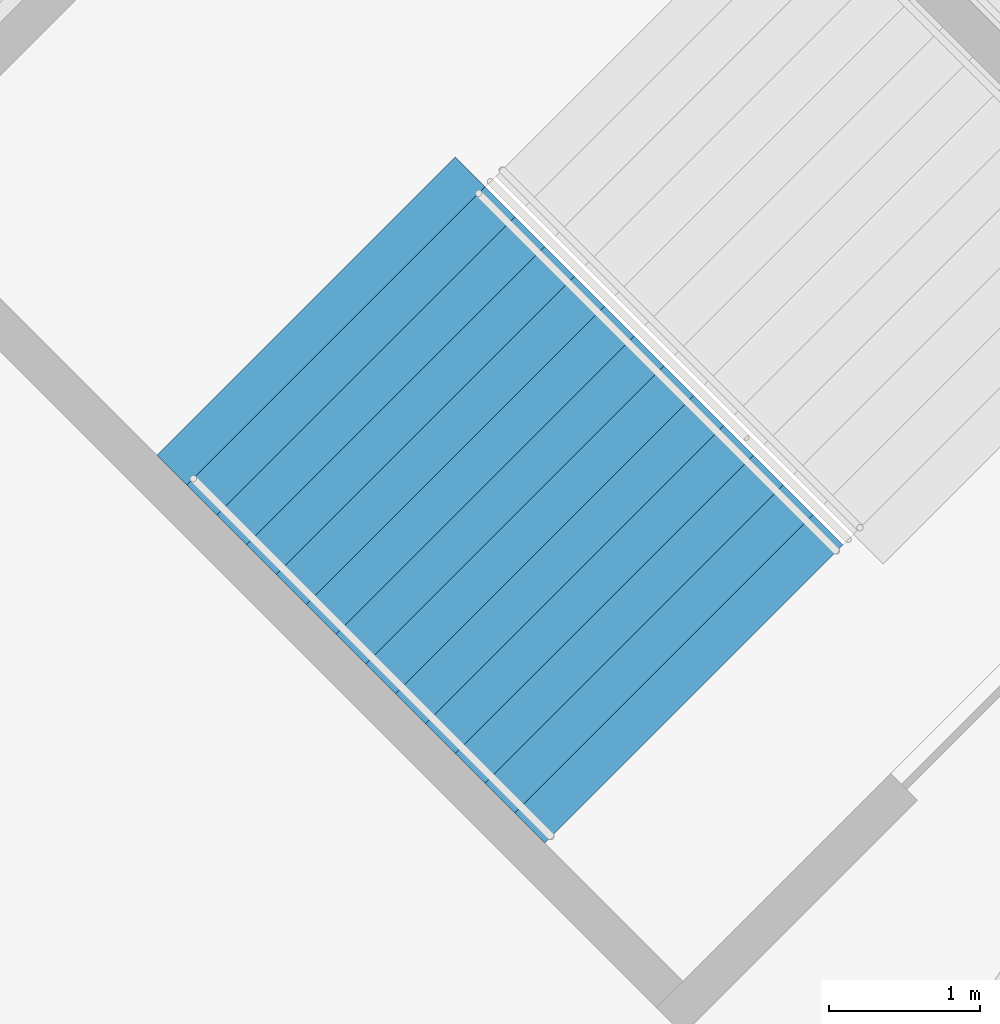
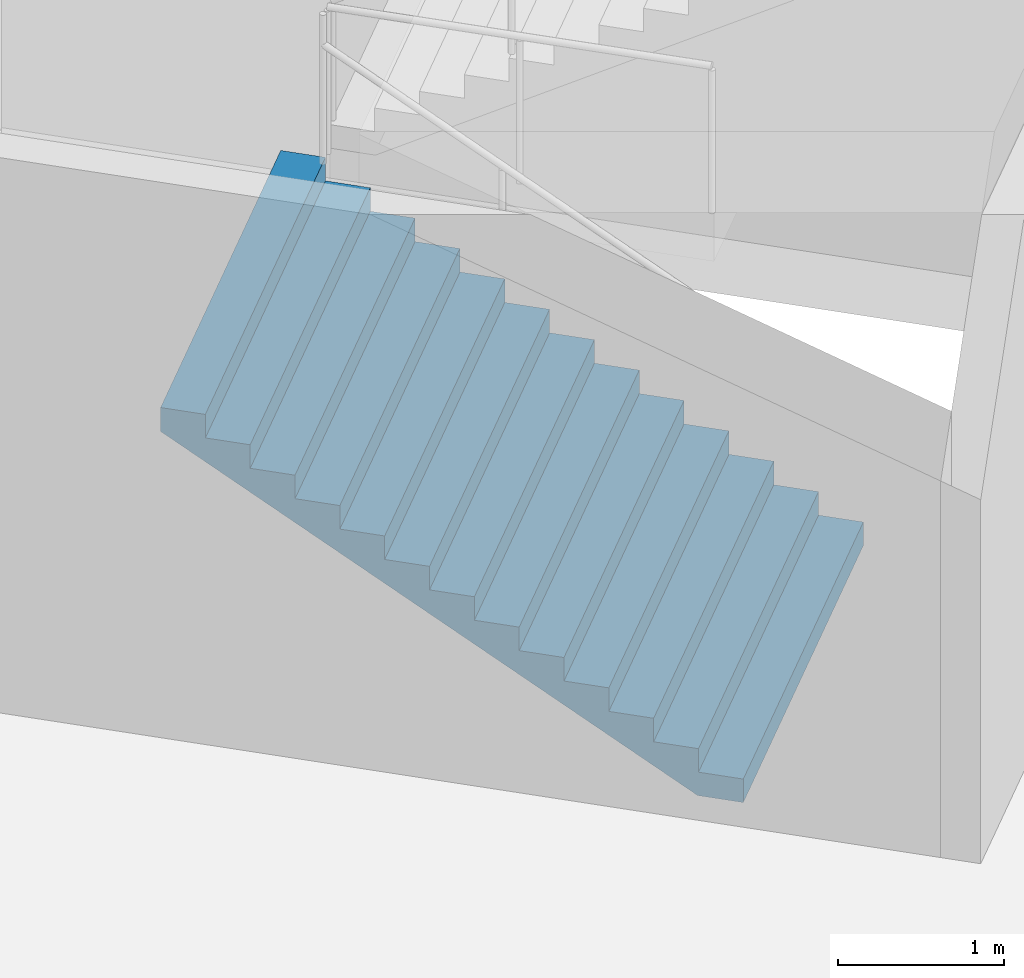
# One storey, part 197 of 249: 1 stair flight, 1 element without a shape of its own.
"""IFC4 building model written with IfcOpenShell, lengths in metres."""

from ifc_helpers import new_model, si_unit, direction, frame, origin, place, context, subcontext, project, spatial, faceted_brep, material, type_object, element, aggregate, save


model = new_model("IFC4")

# Units and contexts
model_context = context("Model", 3, precision=1e-05, world=origin(), true_north=direction((0.0, 1.0)))
body_context = subcontext(model_context, "Body", "Model", "MODEL_VIEW")
ifc_project = project(units=[si_unit("LENGTHUNIT", "METRE"), si_unit("AREAUNIT", "SQUARE_METRE"), si_unit("VOLUMEUNIT", "CUBIC_METRE"), si_unit("PLANEANGLEUNIT", "RADIAN"), si_unit("MASSUNIT", "GRAM", prefix="KILO")], contexts=[model_context])

# Site, building, storey
site_placement = place(None, origin())
site = spatial("IfcSite", under=ifc_project, at=site_placement, CompositionType="ELEMENT")
building_placement = place(site_placement, origin())
building = spatial("IfcBuilding", under=site, at=building_placement, Name="Ogive Plaza Stadium", CompositionType="ELEMENT")
storey_placement = place(building_placement, frame((0.0, 0.0, 13.5)))
storey = spatial("IfcBuildingStorey", under=building, at=storey_placement, Name="L03", CompositionType="ELEMENT", Elevation=13.5)

# Stair, stair flight
ifc_material_1 = material(Name="Concrete C40/50", Category="concrete")
stair_type = type_object("IfcStairType", Name="Exit stair", PredefinedType="STRAIGHT_RUN_STAIR", material=ifc_material_1)
stair_placement = place(storey_placement, origin())
stair = element("IfcStair", 1, at=stair_placement, inside=storey, type_object=stair_type, Name="Exit stair ST30B L03 to L04", PredefinedType="STRAIGHT_RUN_STAIR")
ifc_material_2 = material(Name="Concrete C40/50", Category="concrete")
stair_flight_type = type_object("IfcStairFlightType", Name="Exit stair flight", PredefinedType="STRAIGHT", material=ifc_material_2)
stair_flight_placement = place(storey_placement, frame((-67.074951171875, 79.317138671875, 0.0), z_axis=(0.0, 0.0, 1.0), x_axis=(-0.707106781187, 0.707106781187, 0.0)))
stair_flight = element("IfcStairFlight", 2, at=stair_flight_placement, type_object=stair_flight_type, Name="ST30B flight 1", NumberOfRisers=13, NumberOfTreads=12, PredefinedType="STRAIGHT", RiserHeight=0.173076923, TreadLength=0.28, context=body_context, shape_type="Brep", body=[
    faceted_brep([(0.28515625, -1.39990234375, 0.0), (3.639892578125, -1.39990234375, 2.07373046875), (3.639892578125, -1.39990234375, 2.25), (3.360107421875, -1.39990234375, 2.25), (3.360107421875, -1.39990234375, 2.076904296875), (3.080078125, -1.39990234375, 2.076904296875), (3.080078125, -1.39990234375, 1.90380859375), (2.800048828125, -1.39990234375, 1.90380859375), (2.800048828125, -1.39990234375, 1.730712890625), (2.52001953125, -1.39990234375, 1.730712890625), (2.52001953125, -1.39990234375, 1.5576171875), (2.239990234375, -1.39990234375, 1.5576171875), (2.239990234375, -1.39990234375, 1.384521484375), (1.9599609375, -1.39990234375, 1.384521484375), (1.9599609375, -1.39990234375, 1.21142578125), (1.679931640625, -1.39990234375, 1.21142578125), (1.679931640625, -1.39990234375, 1.03857421875), (1.39990234375, -1.39990234375, 1.03857421875), (1.39990234375, -1.39990234375, 0.865478515625), (1.1201171875, -1.39990234375, 0.865478515625), (1.1201171875, -1.39990234375, 0.6923828125), (0.840087890625, -1.39990234375, 0.6923828125), (0.840087890625, -1.39990234375, 0.519287109375), (0.56005859375, -1.39990234375, 0.519287109375), (0.56005859375, -1.39990234375, 0.34619140625), (0.280029296875, -1.39990234375, 0.34619140625), (0.280029296875, -1.39990234375, 0.173095703125), (0.0, -1.39990234375, 0.173095703125), (0.0, -1.39990234375, 0.0), (0.0, 1.39990234375, 0.0), (0.0, 1.39990234375, 0.173095703125), (0.280029296875, 1.39990234375, 0.173095703125), (0.280029296875, 1.39990234375, 0.34619140625), (0.56005859375, 1.39990234375, 0.34619140625), (0.56005859375, 1.39990234375, 0.519287109375), (0.840087890625, 1.39990234375, 0.519287109375), (0.840087890625, 1.39990234375, 0.6923828125), (1.1201171875, 1.39990234375, 0.6923828125), (1.1201171875, 1.39990234375, 0.865478515625), (1.39990234375, 1.39990234375, 0.865478515625), (1.39990234375, 1.39990234375, 1.03857421875), (1.679931640625, 1.39990234375, 1.03857421875), (1.679931640625, 1.39990234375, 1.21142578125), (1.9599609375, 1.39990234375, 1.21142578125), (1.9599609375, 1.39990234375, 1.384521484375), (2.239990234375, 1.39990234375, 1.384521484375), (2.239990234375, 1.39990234375, 1.5576171875), (2.52001953125, 1.39990234375, 1.5576171875), (2.52001953125, 1.39990234375, 1.730712890625), (2.800048828125, 1.39990234375, 1.730712890625), (2.800048828125, 1.39990234375, 1.90380859375), (3.080078125, 1.39990234375, 1.90380859375), (3.080078125, 1.39990234375, 2.076904296875), (3.360107421875, 1.39990234375, 2.076904296875), (3.360107421875, 1.39990234375, 2.25), (3.639892578125, 1.39990234375, 2.25), (3.639892578125, 1.39990234375, 2.07373046875), (0.28515625, 1.39990234375, 0.0), (0.28515625, -1.0888671875, 0.0), (3.639892578125, -1.0888671875, 2.07373046875), (0.28515625, -0.77783203125, 0.0), (3.639892578125, -0.77783203125, 2.07373046875), (0.28515625, -0.466796875, 0.0), (3.639892578125, -0.466796875, 2.07373046875), (0.28515625, -0.155517578125, 0.0), (3.639892578125, -0.155517578125, 2.07373046875), (0.28515625, 0.155517578125, 0.0), (3.639892578125, 0.155517578125, 2.07373046875), (0.28515625, 0.466796875, 0.0), (3.639892578125, 0.466796875, 2.07373046875), (0.28515625, 0.77783203125, 0.0), (3.639892578125, 0.77783203125, 2.07373046875), (0.28515625, 1.0888671875, 0.0), (3.639892578125, 1.0888671875, 2.07373046875), (3.639892578125, -1.0888671875, 2.25), (3.639892578125, -0.77783203125, 2.25), (3.639892578125, -0.466796875, 2.25), (3.639892578125, -0.155517578125, 2.25), (3.639892578125, 0.155517578125, 2.25), (3.639892578125, 0.466796875, 2.25), (3.639892578125, 0.77783203125, 2.25), (3.639892578125, 1.0888671875, 2.25), (3.360107421875, -1.0888671875, 2.25), (3.360107421875, -0.77783203125, 2.25), (3.360107421875, -0.466796875, 2.25), (3.360107421875, -0.155517578125, 2.25), (3.360107421875, 0.155517578125, 2.25), (3.360107421875, 0.466796875, 2.25), (3.360107421875, 0.77783203125, 2.25), (3.360107421875, 1.0888671875, 2.25), (3.360107421875, -1.0888671875, 2.076904296875), (3.360107421875, -0.77783203125, 2.076904296875), (3.360107421875, -0.466796875, 2.076904296875), (3.360107421875, -0.155517578125, 2.076904296875), (3.360107421875, 0.155517578125, 2.076904296875), (3.360107421875, 0.466796875, 2.076904296875), (3.360107421875, 0.77783203125, 2.076904296875), (3.360107421875, 1.0888671875, 2.076904296875), (3.080078125, -1.0888671875, 2.076904296875), (3.080078125, -0.77783203125, 2.076904296875), (3.080078125, -0.466796875, 2.076904296875), (3.080078125, -0.155517578125, 2.076904296875), (3.080078125, 0.155517578125, 2.076904296875), (3.080078125, 0.466796875, 2.076904296875), (3.080078125, 0.77783203125, 2.076904296875), (3.080078125, 1.0888671875, 2.076904296875), (3.080078125, -1.0888671875, 1.90380859375), (3.080078125, -0.77783203125, 1.90380859375), (3.080078125, -0.466796875, 1.90380859375), (3.080078125, -0.155517578125, 1.90380859375), (3.080078125, 0.155517578125, 1.90380859375), (3.080078125, 0.466796875, 1.90380859375), (3.080078125, 0.77783203125, 1.90380859375), (3.080078125, 1.0888671875, 1.90380859375), (2.800048828125, -1.0888671875, 1.90380859375), (2.800048828125, -0.77783203125, 1.90380859375), (2.800048828125, -0.466796875, 1.90380859375), (2.800048828125, -0.155517578125, 1.90380859375), (2.800048828125, 0.155517578125, 1.90380859375), (2.800048828125, 0.466796875, 1.90380859375), (2.800048828125, 0.77783203125, 1.90380859375), (2.800048828125, 1.0888671875, 1.90380859375), (2.800048828125, -1.0888671875, 1.730712890625), (2.800048828125, -0.77783203125, 1.730712890625), (2.800048828125, -0.466796875, 1.730712890625), (2.800048828125, -0.155517578125, 1.730712890625), (2.800048828125, 0.155517578125, 1.730712890625), (2.800048828125, 0.466796875, 1.730712890625), (2.800048828125, 0.77783203125, 1.730712890625), (2.800048828125, 1.0888671875, 1.730712890625), (2.52001953125, -1.0888671875, 1.730712890625), (2.52001953125, -0.77783203125, 1.730712890625), (2.52001953125, -0.466796875, 1.730712890625), (2.52001953125, -0.155517578125, 1.730712890625), (2.52001953125, 0.155517578125, 1.730712890625), (2.52001953125, 0.466796875, 1.730712890625), (2.52001953125, 0.77783203125, 1.730712890625), (2.52001953125, 1.0888671875, 1.730712890625), (2.52001953125, -1.0888671875, 1.5576171875), (2.52001953125, -0.77783203125, 1.5576171875), (2.52001953125, -0.466796875, 1.5576171875), (2.52001953125, -0.155517578125, 1.5576171875), (2.52001953125, 0.155517578125, 1.5576171875), (2.52001953125, 0.466796875, 1.5576171875), (2.52001953125, 0.77783203125, 1.5576171875), (2.52001953125, 1.0888671875, 1.5576171875), (2.239990234375, -1.0888671875, 1.5576171875), (2.239990234375, -0.77783203125, 1.5576171875), (2.239990234375, -0.466796875, 1.5576171875), (2.239990234375, -0.155517578125, 1.5576171875), (2.239990234375, 0.155517578125, 1.5576171875), (2.239990234375, 0.466796875, 1.5576171875), (2.239990234375, 0.77783203125, 1.5576171875), (2.239990234375, 1.0888671875, 1.5576171875), (2.239990234375, -1.0888671875, 1.384521484375), (2.239990234375, -0.77783203125, 1.384521484375), (2.239990234375, -0.466796875, 1.384521484375), (2.239990234375, -0.155517578125, 1.384521484375), (2.239990234375, 0.155517578125, 1.384521484375), (2.239990234375, 0.466796875, 1.384521484375), (2.239990234375, 0.77783203125, 1.384521484375), (2.239990234375, 1.0888671875, 1.384521484375), (1.9599609375, -1.0888671875, 1.384521484375), (1.9599609375, -0.77783203125, 1.384521484375), (1.9599609375, -0.466796875, 1.384521484375), (1.9599609375, -0.155517578125, 1.384521484375), (1.9599609375, 0.155517578125, 1.384521484375), (1.9599609375, 0.466796875, 1.384521484375), (1.9599609375, 0.77783203125, 1.384521484375), (1.9599609375, 1.0888671875, 1.384521484375), (1.9599609375, -1.0888671875, 1.21142578125), (1.9599609375, -0.77783203125, 1.21142578125), (1.9599609375, -0.466796875, 1.21142578125), (1.9599609375, -0.155517578125, 1.21142578125), (1.9599609375, 0.155517578125, 1.21142578125), (1.9599609375, 0.466796875, 1.21142578125), (1.9599609375, 0.77783203125, 1.21142578125), (1.9599609375, 1.0888671875, 1.21142578125), (1.679931640625, -1.0888671875, 1.21142578125), (1.679931640625, -0.77783203125, 1.21142578125), (1.679931640625, -0.466796875, 1.21142578125), (1.679931640625, -0.155517578125, 1.21142578125), (1.679931640625, 0.155517578125, 1.21142578125), (1.679931640625, 0.466796875, 1.21142578125), (1.679931640625, 0.77783203125, 1.21142578125), (1.679931640625, 1.0888671875, 1.21142578125), (1.679931640625, -1.0888671875, 1.03857421875), (1.679931640625, -0.77783203125, 1.03857421875), (1.679931640625, -0.466796875, 1.03857421875), (1.679931640625, -0.155517578125, 1.03857421875), (1.679931640625, 0.155517578125, 1.03857421875), (1.679931640625, 0.466796875, 1.03857421875), (1.679931640625, 0.77783203125, 1.03857421875), (1.679931640625, 1.0888671875, 1.03857421875), (1.39990234375, -1.0888671875, 1.03857421875), (1.39990234375, -0.77783203125, 1.03857421875), (1.39990234375, -0.466796875, 1.03857421875), (1.39990234375, -0.155517578125, 1.03857421875), (1.39990234375, 0.155517578125, 1.03857421875), (1.39990234375, 0.466796875, 1.03857421875), (1.39990234375, 0.77783203125, 1.03857421875), (1.39990234375, 1.0888671875, 1.03857421875), (1.39990234375, -1.0888671875, 0.865478515625), (1.39990234375, -0.77783203125, 0.865478515625), (1.39990234375, -0.466796875, 0.865478515625), (1.39990234375, -0.155517578125, 0.865478515625), (1.39990234375, 0.155517578125, 0.865478515625), (1.39990234375, 0.466796875, 0.865478515625), (1.39990234375, 0.77783203125, 0.865478515625), (1.39990234375, 1.0888671875, 0.865478515625), (1.1201171875, -1.0888671875, 0.865478515625), (1.1201171875, -0.77783203125, 0.865478515625), (1.1201171875, -0.466796875, 0.865478515625), (1.1201171875, -0.155517578125, 0.865478515625), (1.1201171875, 0.155517578125, 0.865478515625), (1.1201171875, 0.466796875, 0.865478515625), (1.1201171875, 0.77783203125, 0.865478515625), (1.1201171875, 1.0888671875, 0.865478515625), (1.1201171875, -1.0888671875, 0.6923828125), (1.1201171875, -0.77783203125, 0.6923828125), (1.1201171875, -0.466796875, 0.6923828125), (1.1201171875, -0.155517578125, 0.6923828125), (1.1201171875, 0.155517578125, 0.6923828125), (1.1201171875, 0.466796875, 0.6923828125), (1.1201171875, 0.77783203125, 0.6923828125), (1.1201171875, 1.0888671875, 0.6923828125), (0.840087890625, -1.0888671875, 0.6923828125), (0.840087890625, -0.77783203125, 0.6923828125), (0.840087890625, -0.466796875, 0.6923828125), (0.840087890625, -0.155517578125, 0.6923828125), (0.840087890625, 0.155517578125, 0.6923828125), (0.840087890625, 0.466796875, 0.6923828125), (0.840087890625, 0.77783203125, 0.6923828125), (0.840087890625, 1.0888671875, 0.6923828125), (0.840087890625, -1.0888671875, 0.519287109375), (0.840087890625, -0.77783203125, 0.519287109375), (0.840087890625, -0.466796875, 0.519287109375), (0.840087890625, -0.155517578125, 0.519287109375), (0.840087890625, 0.155517578125, 0.519287109375), (0.840087890625, 0.466796875, 0.519287109375), (0.840087890625, 0.77783203125, 0.519287109375), (0.840087890625, 1.0888671875, 0.519287109375), (0.56005859375, -1.0888671875, 0.519287109375), (0.56005859375, -0.77783203125, 0.519287109375), (0.56005859375, -0.466796875, 0.519287109375), (0.56005859375, -0.155517578125, 0.519287109375), (0.56005859375, 0.155517578125, 0.519287109375), (0.56005859375, 0.466796875, 0.519287109375), (0.56005859375, 0.77783203125, 0.519287109375), (0.56005859375, 1.0888671875, 0.519287109375), (0.56005859375, -1.0888671875, 0.34619140625), (0.56005859375, -0.77783203125, 0.34619140625), (0.56005859375, -0.466796875, 0.34619140625), (0.56005859375, -0.155517578125, 0.34619140625), (0.56005859375, 0.155517578125, 0.34619140625), (0.56005859375, 0.466796875, 0.34619140625), (0.56005859375, 0.77783203125, 0.34619140625), (0.56005859375, 1.0888671875, 0.34619140625), (0.280029296875, -1.0888671875, 0.34619140625), (0.280029296875, -0.77783203125, 0.34619140625), (0.280029296875, -0.466796875, 0.34619140625), (0.280029296875, -0.155517578125, 0.34619140625), (0.280029296875, 0.155517578125, 0.34619140625), (0.280029296875, 0.466796875, 0.34619140625), (0.280029296875, 0.77783203125, 0.34619140625), (0.280029296875, 1.0888671875, 0.34619140625), (0.280029296875, -1.0888671875, 0.173095703125), (0.280029296875, -0.77783203125, 0.173095703125), (0.280029296875, -0.466796875, 0.173095703125), (0.280029296875, -0.155517578125, 0.173095703125), (0.280029296875, 0.155517578125, 0.173095703125), (0.280029296875, 0.466796875, 0.173095703125), (0.280029296875, 0.77783203125, 0.173095703125), (0.280029296875, 1.0888671875, 0.173095703125), (0.0, -1.0888671875, 0.173095703125), (0.0, -0.77783203125, 0.173095703125), (0.0, -0.466796875, 0.173095703125), (0.0, -0.155517578125, 0.173095703125), (0.0, 0.155517578125, 0.173095703125), (0.0, 0.466796875, 0.173095703125), (0.0, 0.77783203125, 0.173095703125), (0.0, 1.0888671875, 0.173095703125), (0.0, -1.0888671875, 0.0), (0.0, -0.77783203125, 0.0), (0.0, -0.466796875, 0.0), (0.0, -0.155517578125, 0.0), (0.0, 0.155517578125, 0.0), (0.0, 0.466796875, 0.0), (0.0, 0.77783203125, 0.0), (0.0, 1.0888671875, 0.0)], [[[0, 1, 2, 3, 4, 5, 6, 7, 8, 9, 10, 11, 12, 13, 14, 15, 16, 17, 18, 19, 20, 21, 22, 23, 24, 25, 26, 27, 28]], [[29, 30, 31, 32, 33, 34, 35, 36, 37, 38, 39, 40, 41, 42, 43, 44, 45, 46, 47, 48, 49, 50, 51, 52, 53, 54, 55, 56, 57]], [[0, 58, 59, 1]], [[58, 60, 61, 59]], [[60, 62, 63, 61]], [[62, 64, 65, 63]], [[64, 66, 67, 65]], [[66, 68, 69, 67]], [[68, 70, 71, 69]], [[70, 72, 73, 71]], [[72, 57, 56, 73]], [[1, 59, 74, 2]], [[59, 61, 75, 74]], [[61, 63, 76, 75]], [[63, 65, 77, 76]], [[65, 67, 78, 77]], [[67, 69, 79, 78]], [[69, 71, 80, 79]], [[71, 73, 81, 80]], [[73, 56, 55, 81]], [[2, 74, 82, 3]], [[74, 75, 83, 82]], [[75, 76, 84, 83]], [[76, 77, 85, 84]], [[77, 78, 86, 85]], [[78, 79, 87, 86]], [[79, 80, 88, 87]], [[80, 81, 89, 88]], [[81, 55, 54, 89]], [[3, 82, 90, 4]], [[82, 83, 91, 90]], [[83, 84, 92, 91]], [[84, 85, 93, 92]], [[85, 86, 94, 93]], [[86, 87, 95, 94]], [[87, 88, 96, 95]], [[88, 89, 97, 96]], [[89, 54, 53, 97]], [[4, 90, 98, 5]], [[90, 91, 99, 98]], [[91, 92, 100, 99]], [[92, 93, 101, 100]], [[93, 94, 102, 101]], [[94, 95, 103, 102]], [[95, 96, 104, 103]], [[96, 97, 105, 104]], [[97, 53, 52, 105]], [[5, 98, 106, 6]], [[98, 99, 107, 106]], [[99, 100, 108, 107]], [[100, 101, 109, 108]], [[101, 102, 110, 109]], [[102, 103, 111, 110]], [[103, 104, 112, 111]], [[104, 105, 113, 112]], [[105, 52, 51, 113]], [[6, 106, 114, 7]], [[106, 107, 115, 114]], [[107, 108, 116, 115]], [[108, 109, 117, 116]], [[109, 110, 118, 117]], [[110, 111, 119, 118]], [[111, 112, 120, 119]], [[112, 113, 121, 120]], [[113, 51, 50, 121]], [[7, 114, 122, 8]], [[114, 115, 123, 122]], [[115, 116, 124, 123]], [[116, 117, 125, 124]], [[117, 118, 126, 125]], [[118, 119, 127, 126]], [[119, 120, 128, 127]], [[120, 121, 129, 128]], [[121, 50, 49, 129]], [[8, 122, 130, 9]], [[122, 123, 131, 130]], [[123, 124, 132, 131]], [[124, 125, 133, 132]], [[125, 126, 134, 133]], [[126, 127, 135, 134]], [[127, 128, 136, 135]], [[128, 129, 137, 136]], [[129, 49, 48, 137]], [[9, 130, 138, 10]], [[130, 131, 139, 138]], [[131, 132, 140, 139]], [[132, 133, 141, 140]], [[133, 134, 142, 141]], [[134, 135, 143, 142]], [[135, 136, 144, 143]], [[136, 137, 145, 144]], [[137, 48, 47, 145]], [[10, 138, 146, 11]], [[138, 139, 147, 146]], [[139, 140, 148, 147]], [[140, 141, 149, 148]], [[141, 142, 150, 149]], [[142, 143, 151, 150]], [[143, 144, 152, 151]], [[144, 145, 153, 152]], [[145, 47, 46, 153]], [[11, 146, 154, 12]], [[146, 147, 155, 154]], [[147, 148, 156, 155]], [[148, 149, 157, 156]], [[149, 150, 158, 157]], [[150, 151, 159, 158]], [[151, 152, 160, 159]], [[152, 153, 161, 160]], [[153, 46, 45, 161]], [[12, 154, 162, 13]], [[154, 155, 163, 162]], [[155, 156, 164, 163]], [[156, 157, 165, 164]], [[157, 158, 166, 165]], [[158, 159, 167, 166]], [[159, 160, 168, 167]], [[160, 161, 169, 168]], [[161, 45, 44, 169]], [[13, 162, 170, 14]], [[162, 163, 171, 170]], [[163, 164, 172, 171]], [[164, 165, 173, 172]], [[165, 166, 174, 173]], [[166, 167, 175, 174]], [[167, 168, 176, 175]], [[168, 169, 177, 176]], [[169, 44, 43, 177]], [[14, 170, 178, 15]], [[170, 171, 179, 178]], [[171, 172, 180, 179]], [[172, 173, 181, 180]], [[173, 174, 182, 181]], [[174, 175, 183, 182]], [[175, 176, 184, 183]], [[176, 177, 185, 184]], [[177, 43, 42, 185]], [[15, 178, 186, 16]], [[178, 179, 187, 186]], [[179, 180, 188, 187]], [[180, 181, 189, 188]], [[181, 182, 190, 189]], [[182, 183, 191, 190]], [[183, 184, 192, 191]], [[184, 185, 193, 192]], [[185, 42, 41, 193]], [[16, 186, 194, 17]], [[186, 187, 195, 194]], [[187, 188, 196, 195]], [[188, 189, 197, 196]], [[189, 190, 198, 197]], [[190, 191, 199, 198]], [[191, 192, 200, 199]], [[192, 193, 201, 200]], [[193, 41, 40, 201]], [[17, 194, 202, 18]], [[194, 195, 203, 202]], [[195, 196, 204, 203]], [[196, 197, 205, 204]], [[197, 198, 206, 205]], [[198, 199, 207, 206]], [[199, 200, 208, 207]], [[200, 201, 209, 208]], [[201, 40, 39, 209]], [[18, 202, 210, 19]], [[202, 203, 211, 210]], [[203, 204, 212, 211]], [[204, 205, 213, 212]], [[205, 206, 214, 213]], [[206, 207, 215, 214]], [[207, 208, 216, 215]], [[208, 209, 217, 216]], [[209, 39, 38, 217]], [[19, 210, 218, 20]], [[210, 211, 219, 218]], [[211, 212, 220, 219]], [[212, 213, 221, 220]], [[213, 214, 222, 221]], [[214, 215, 223, 222]], [[215, 216, 224, 223]], [[216, 217, 225, 224]], [[217, 38, 37, 225]], [[20, 218, 226, 21]], [[218, 219, 227, 226]], [[219, 220, 228, 227]], [[220, 221, 229, 228]], [[221, 222, 230, 229]], [[222, 223, 231, 230]], [[223, 224, 232, 231]], [[224, 225, 233, 232]], [[225, 37, 36, 233]], [[21, 226, 234, 22]], [[226, 227, 235, 234]], [[227, 228, 236, 235]], [[228, 229, 237, 236]], [[229, 230, 238, 237]], [[230, 231, 239, 238]], [[231, 232, 240, 239]], [[232, 233, 241, 240]], [[233, 36, 35, 241]], [[22, 234, 242, 23]], [[234, 235, 243, 242]], [[235, 236, 244, 243]], [[236, 237, 245, 244]], [[237, 238, 246, 245]], [[238, 239, 247, 246]], [[239, 240, 248, 247]], [[240, 241, 249, 248]], [[241, 35, 34, 249]], [[23, 242, 250, 24]], [[242, 243, 251, 250]], [[243, 244, 252, 251]], [[244, 245, 253, 252]], [[245, 246, 254, 253]], [[246, 247, 255, 254]], [[247, 248, 256, 255]], [[248, 249, 257, 256]], [[249, 34, 33, 257]], [[24, 250, 258, 25]], [[250, 251, 259, 258]], [[251, 252, 260, 259]], [[252, 253, 261, 260]], [[253, 254, 262, 261]], [[254, 255, 263, 262]], [[255, 256, 264, 263]], [[256, 257, 265, 264]], [[257, 33, 32, 265]], [[25, 258, 266, 26]], [[258, 259, 267, 266]], [[259, 260, 268, 267]], [[260, 261, 269, 268]], [[261, 262, 270, 269]], [[262, 263, 271, 270]], [[263, 264, 272, 271]], [[264, 265, 273, 272]], [[265, 32, 31, 273]], [[26, 266, 274, 27]], [[266, 267, 275, 274]], [[267, 268, 276, 275]], [[268, 269, 277, 276]], [[269, 270, 278, 277]], [[270, 271, 279, 278]], [[271, 272, 280, 279]], [[272, 273, 281, 280]], [[273, 31, 30, 281]], [[27, 274, 282, 28]], [[274, 275, 283, 282]], [[275, 276, 284, 283]], [[276, 277, 285, 284]], [[277, 278, 286, 285]], [[278, 279, 287, 286]], [[279, 280, 288, 287]], [[280, 281, 289, 288]], [[281, 30, 29, 289]], [[28, 282, 58, 0]], [[282, 283, 60, 58]], [[283, 284, 62, 60]], [[284, 285, 64, 62]], [[285, 286, 66, 64]], [[286, 287, 68, 66]], [[287, 288, 70, 68]], [[288, 289, 72, 70]], [[289, 29, 57, 72]]]),
])
aggregate(stair, [stair_flight])

save(model, "model.ifc")
